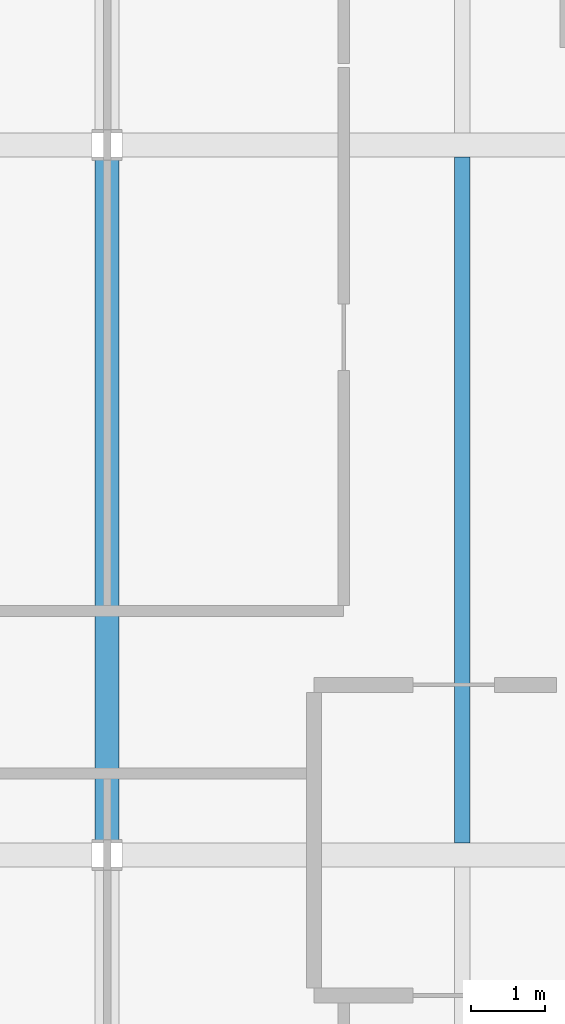
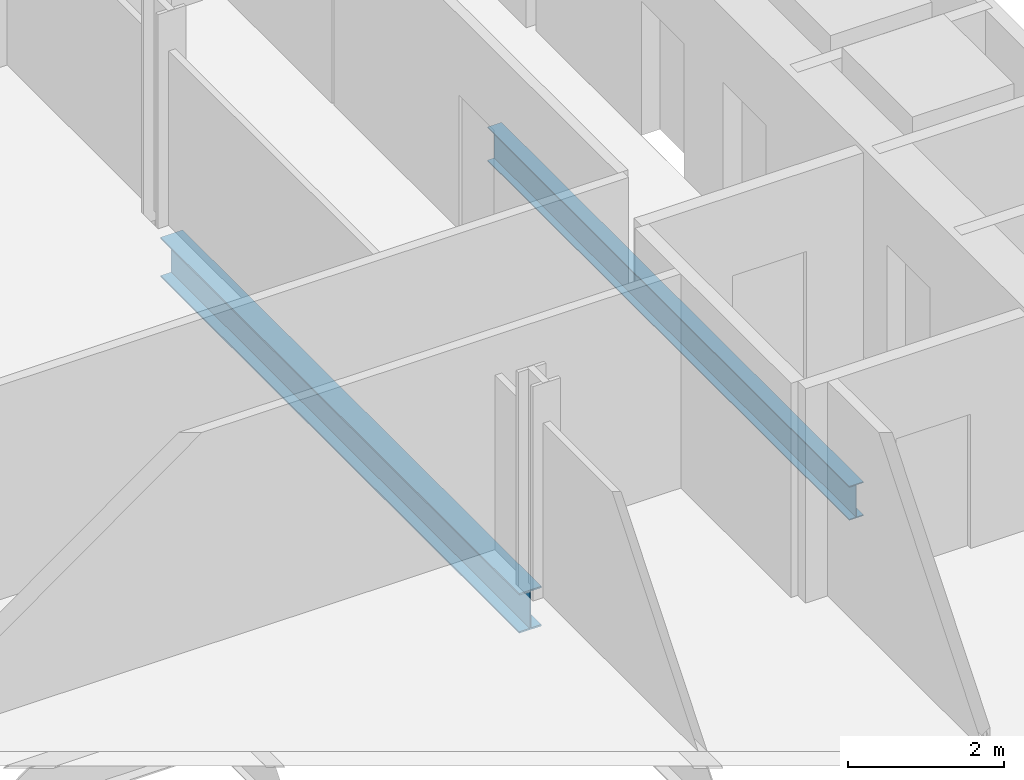
# One storey, part 5 of 25: 2 beams.
"""IFC4 building model written with IfcOpenShell, lengths in metres."""

from ifc_helpers import new_model, si_unit, direction, frame, origin, origin_2d, place, context, subcontext, project, spatial, i_section, extrude, material, material_profile, profile_set, type_object, element, save


model = new_model("IFC4")

# Units and contexts
model_context = context("Model", 3, precision=1e-05, world=origin(), true_north=direction((0.0, 1.0)))
body_context = subcontext(model_context, "Body", "Model", "MODEL_VIEW")
ifc_project = project(units=[si_unit("LENGTHUNIT", "METRE"), si_unit("AREAUNIT", "SQUARE_METRE"), si_unit("VOLUMEUNIT", "CUBIC_METRE"), si_unit("PLANEANGLEUNIT", "RADIAN"), si_unit("MASSUNIT", "GRAM", prefix="KILO")], contexts=[model_context])

# Site, building, storey
site_placement = place(None, origin())
site = spatial("IfcSite", under=ifc_project, at=site_placement, CompositionType="ELEMENT")
building_placement = place(site_placement, origin())
building = spatial("IfcBuilding", under=site, at=building_placement, Name="Cobrizo Arcos Hotel Tower", CompositionType="ELEMENT")
storey_placement = place(building_placement, frame((0.0, 0.0, 46.0)))
storey = spatial("IfcBuildingStorey", under=building, at=storey_placement, Name="L09", CompositionType="ELEMENT", Elevation=46.0)

# Beams
ifc_material = material(Name="Steel ASTM A992 Grade 50", Category="steel")
ifc_material_profile_1 = material_profile(ifc_material, i_section(OverallWidth=0.209228515625, OverallDepth=0.533447265625, WebThickness=0.01025390625, FlangeThickness=0.015625, at=origin_2d()), Name="W21X62")
ifc_profile_set_1 = profile_set([ifc_material_profile_1], Name="Steel ASTM A992 Grade 50")
beam_type_1 = type_object("IfcBeamType", Name="W21X62 joist", PredefinedType="JOIST", material=ifc_profile_set_1)
beam_1_placement = place(storey_placement, frame((14.39990234375, 0.163818359375, -0.416748046875), z_axis=(0.0, 1.0, 0.0), x_axis=(-1.0, 0.0, 0.0)))
element("IfcBeam", 1, at=beam_1_placement, inside=storey, type_object=beam_type_1, Name="Floor joist J1, L09, no. 017", PredefinedType="JOIST", context=body_context, shape_type="SweptSolid", body=[
    extrude(i_section(OverallWidth=0.209228515625, OverallDepth=0.533447265625, WebThickness=0.01025390625, FlangeThickness=0.015625, at=origin_2d()), origin(), (0.0, 0.0, 1.0), 9.272216796875),
])
ifc_material_profile_2 = material_profile(ifc_material, i_section(OverallWidth=0.32763671875, OverallDepth=0.622314453125, WebThickness=0.015380859375, FlangeThickness=0.0244140625, at=origin_2d()), Name="W24X131")
ifc_profile_set_2 = profile_set([ifc_material_profile_2], Name="Steel ASTM A992 Grade 50")
beam_type_2 = type_object("IfcBeamType", Name="W24X131 girder", PredefinedType="BEAM", material=ifc_profile_set_2)
beam_2_placement = place(storey_placement, frame((9.60009765625, 0.204345703125, -0.461181640625), z_axis=(0.0, 1.0, 0.0), x_axis=(-1.0, 0.0, 0.0)))
element("IfcBeam", 2, at=beam_2_placement, inside=storey, type_object=beam_type_2, Name="Floor girder G1, L09, no. 023", PredefinedType="BEAM", context=body_context, shape_type="SweptSolid", body=[
    extrude(i_section(OverallWidth=0.32763671875, OverallDepth=0.622314453125, WebThickness=0.015380859375, FlangeThickness=0.0244140625, at=origin_2d()), origin(), (0.0, 0.0, 1.0), 9.191162109375),
])

save(model, "model.ifc")
